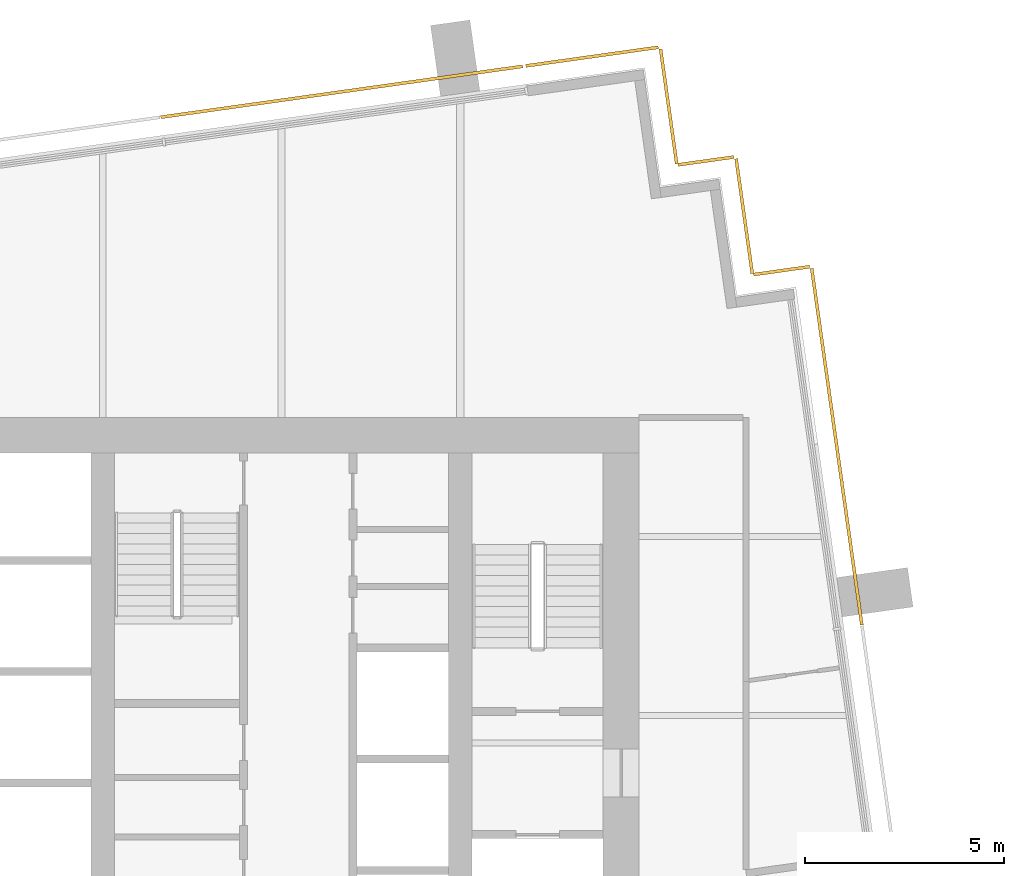
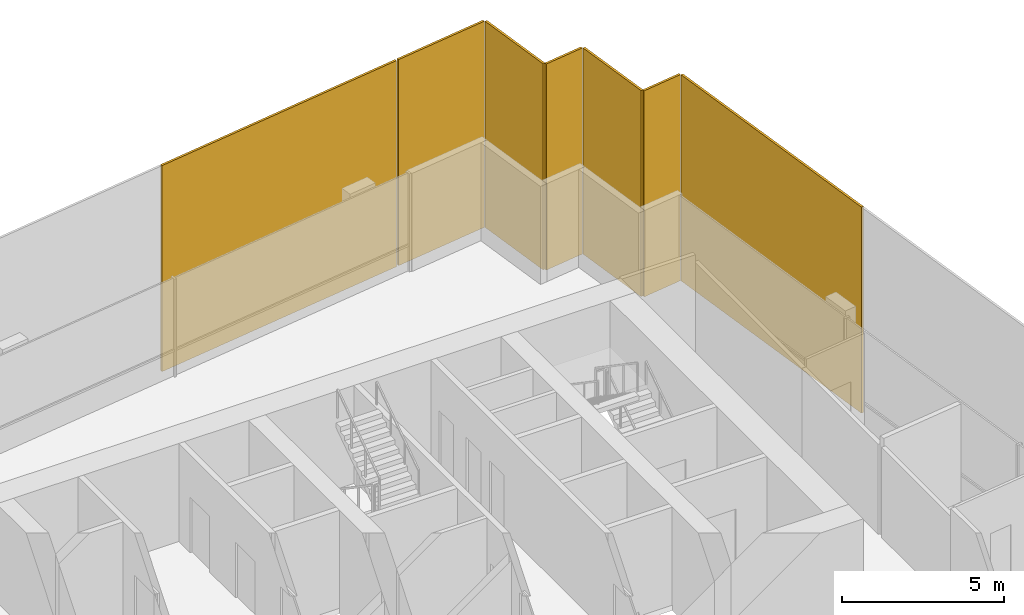
# One storey, part 15 of 15: 7 coverings.
"""IFC4 building model written with IfcOpenShell, lengths in metres."""

from ifc_helpers import new_model, si_unit, direction, frame, origin, origin_2d, place, context, subcontext, project, spatial, rectangle, extrude, material, layer, layer_set, type_object, element, save


model = new_model("IFC4")

# Units and contexts
model_context = context("Model", 3, precision=1e-05, world=origin(), true_north=direction((0.0, 1.0)))
body_context = subcontext(model_context, "Body", "Model", "MODEL_VIEW")
ifc_project = project(units=[si_unit("LENGTHUNIT", "METRE"), si_unit("AREAUNIT", "SQUARE_METRE"), si_unit("VOLUMEUNIT", "CUBIC_METRE"), si_unit("PLANEANGLEUNIT", "RADIAN"), si_unit("MASSUNIT", "GRAM", prefix="KILO")], contexts=[model_context])

# Site, building, storey
site_placement = place(None, origin())
site = spatial("IfcSite", under=ifc_project, at=site_placement, CompositionType="ELEMENT")
building_placement = place(site_placement, origin())
building = spatial("IfcBuilding", under=site, at=building_placement, Name="Rattan Terrace Tower", CompositionType="ELEMENT")
storey_placement = place(building_placement, frame((0.0, 0.0, 266.800048828125)))
storey = spatial("IfcBuildingStorey", under=building, at=storey_placement, Name="L61", CompositionType="ELEMENT", Elevation=266.800048828125)

# Coverings
ifc_material = material(Name="Perforated terracotta", Category="masonry")
ifc_layer = layer(ifc_material, 0.080078125)
ifc_layer_set = layer_set([ifc_layer], Name="Facade Terracotta Screen Panel HZ")
covering_type = type_object("IfcCoveringType", Name="Facade Terracotta Screen Panel HZ", PredefinedType="CLADDING", material=ifc_layer_set)
covering_1_placement = place(storey_placement, frame((22.9814453125, 6.76416015625, -0.18994140625), z_axis=(0.0, 0.0, 1.0), x_axis=(-0.139191775431, 0.990265444036, 0.0)))
element("IfcCovering", 1, at=covering_1_placement, inside=storey, type_object=covering_type, Name="OUTER SKIN panel L61-8", PredefinedType="CLADDING", context=body_context, shape_type="SweptSolid", body=[
    extrude(rectangle(XDim=9.066162109375, YDim=0.080078125, at=origin_2d()), origin(), (0.0, 0.0, 1.0), 7.780029296875),
])
covering_2_placement = place(storey_placement, frame((21.591064453125, 11.19677734375, -0.18994140625), z_axis=(0.0, 0.0, 1.0), x_axis=(-0.990240767803, -0.139367219175, 0.0)))
element("IfcCovering", 2, at=covering_2_placement, inside=storey, type_object=covering_type, Name="OUTER SKIN panel L61-9", PredefinedType="CLADDING", context=body_context, shape_type="SweptSolid", body=[
    extrude(rectangle(XDim=1.419677734375, YDim=0.080078125, at=origin_2d()), origin(), (0.0, 0.0, 1.0), 7.780029296875),
])
covering_3_placement = place(storey_placement, frame((20.65087890625, 12.569091796875, -0.18994140625), z_axis=(0.0, 0.0, 1.0), x_axis=(-0.139321220646, 0.990247240581, 0.0)))
element("IfcCovering", 3, at=covering_3_placement, inside=storey, type_object=covering_type, Name="OUTER SKIN panel L61-10", PredefinedType="CLADDING", context=body_context, shape_type="SweptSolid", body=[
    extrude(rectangle(XDim=2.919921875, YDim=0.080078125, at=origin_2d()), origin(), (0.0, 0.0, 1.0), 7.780029296875),
])
covering_4_placement = place(storey_placement, frame((19.68798828125, 13.958984375, -0.18994140625), z_axis=(0.0, 0.0, 1.0), x_axis=(-0.990332587523, -0.138713251317, 0.0)))
element("IfcCovering", 4, at=covering_4_placement, inside=storey, type_object=covering_type, Name="OUTER SKIN panel L61-11", PredefinedType="CLADDING", context=body_context, shape_type="SweptSolid", body=[
    extrude(rectangle(XDim=1.41943359375, YDim=0.080078125, at=origin_2d()), origin(), (0.0, 0.0, 1.0), 7.780029296875),
])
covering_5_placement = place(storey_placement, frame((18.747802734375, 15.33154296875, -0.18994140625), z_axis=(0.0, 0.0, 1.0), x_axis=(-0.139367219175, 0.990240767803, 0.0)))
element("IfcCovering", 5, at=covering_5_placement, inside=storey, type_object=covering_type, Name="OUTER SKIN panel L61-12", PredefinedType="CLADDING", context=body_context, shape_type="SweptSolid", body=[
    extrude(rectangle(XDim=2.91943359375, YDim=0.080078125, at=origin_2d()), origin(), (0.0, 0.0, 1.0), 7.780029296875),
])
covering_6_placement = place(storey_placement, frame((16.81982421875, 16.585205078125, -0.18994140625), z_axis=(0.0, 0.0, 1.0), x_axis=(-0.990286729519, -0.139040257974, 0.0)))
element("IfcCovering", 6, at=covering_6_placement, inside=storey, type_object=covering_type, Name="OUTER SKIN panel L61-13", PredefinedType="CLADDING", context=body_context, shape_type="SweptSolid", body=[
    extrude(rectangle(XDim=3.368896484375, YDim=0.080078125, at=origin_2d()), origin(), (0.0, 0.0, 1.0), 7.780029296875),
])
covering_7_placement = place(storey_placement, frame((10.517578125, 15.69970703125, -0.18994140625), z_axis=(0.0, 0.0, 1.0), x_axis=(-0.990265894013, -0.139188574079, 0.0)))
element("IfcCovering", 7, at=covering_7_placement, inside=storey, type_object=covering_type, Name="OUTER SKIN panel L61-14", PredefinedType="CLADDING", context=body_context, shape_type="SweptSolid", body=[
    extrude(rectangle(XDim=9.198974609375, YDim=0.080078125, at=origin_2d()), origin(), (0.0, 0.0, 1.0), 7.780029296875),
])

save(model, "model.ifc")
